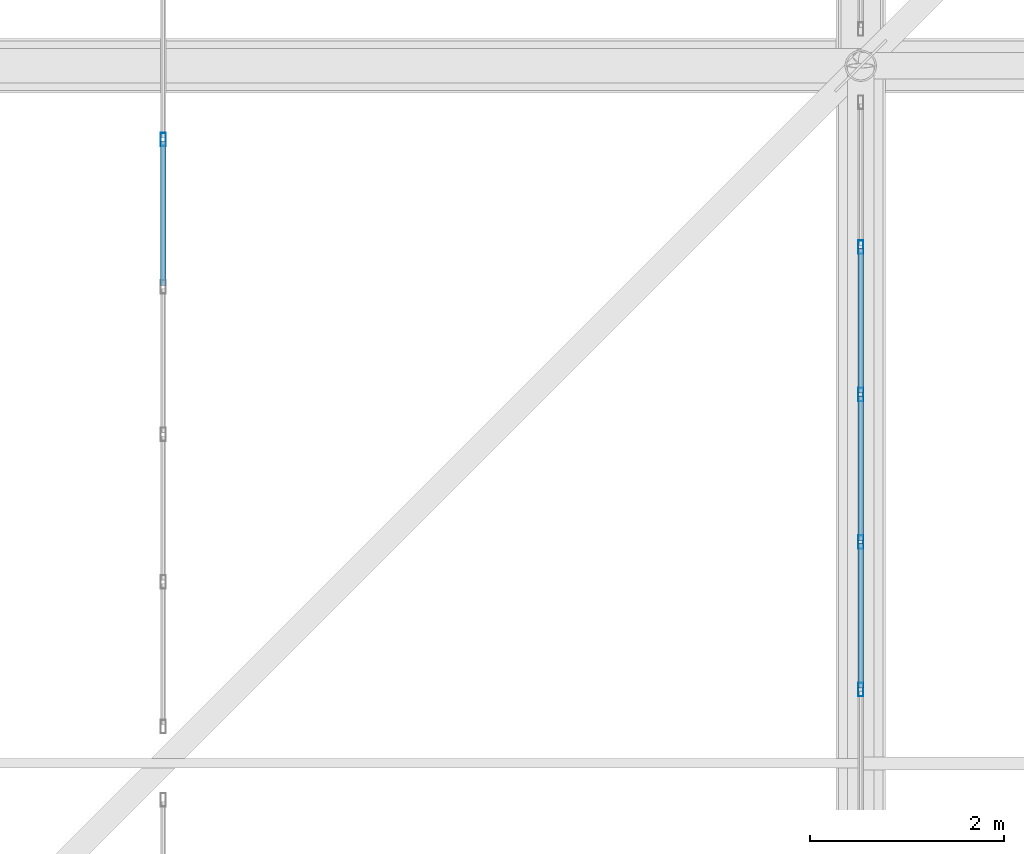
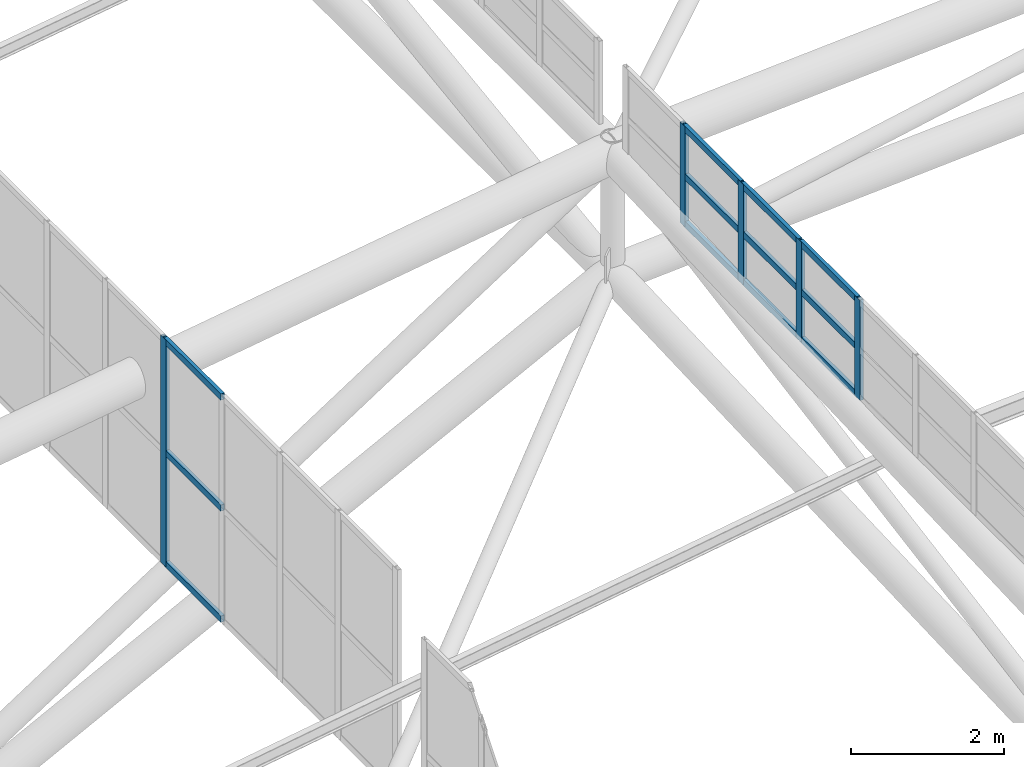
# One storey, part 71 of 397: 17 members, 2 elements without a shape of their own.
"""IFC4 building model written with IfcOpenShell, lengths in metres."""

from ifc_helpers import new_model, si_unit, direction, frame, origin, origin_2d, place, context, subcontext, project, spatial, hollow_rectangle, extrude, material, material_profile, profile_set, type_object, element, aggregate, save


model = new_model("IFC4")

# Units and contexts
model_context = context("Model", 3, precision=1e-05, world=origin(), true_north=direction((0.0, 1.0)))
body_context = subcontext(model_context, "Body", "Model", "MODEL_VIEW")
ifc_project = project(units=[si_unit("LENGTHUNIT", "METRE"), si_unit("AREAUNIT", "SQUARE_METRE"), si_unit("VOLUMEUNIT", "CUBIC_METRE"), si_unit("PLANEANGLEUNIT", "RADIAN"), si_unit("MASSUNIT", "GRAM", prefix="KILO")], contexts=[model_context])

# Site, building, storey
site_placement = place(None, origin())
site = spatial("IfcSite", under=ifc_project, at=site_placement, CompositionType="ELEMENT")
building_placement = place(site_placement, origin())
building = spatial("IfcBuilding", under=site, at=building_placement, Name="Qandorah Velis Arena", CompositionType="ELEMENT")
storey_placement = place(building_placement, frame((0.0, 0.0, 27.5)))
storey = spatial("IfcBuildingStorey", under=building, at=storey_placement, Name="RF", CompositionType="ELEMENT", Elevation=27.5)

# Curtain wall, member
ifc_material_1 = material(Name="Solar-control low-E double glazing", Category="glass")
curtain_wall_type_1 = type_object("IfcCurtainWallType", Name="ARC-CW-SYS09", PredefinedType="USERDEFINED", material=ifc_material_1)
curtain_wall_1_placement = place(storey_placement, origin())
curtain_wall_1 = element("IfcCurtainWall", 1, at=curtain_wall_1_placement, inside=storey, type_object=curtain_wall_type_1, Name="Unitised curtain wall MON-1-3", ObjectType="UNITISED CURTAIN WALL", PredefinedType="USERDEFINED")
ifc_material_2 = material(Name="Champagne-bronze anodized aluminium 6063-T6", Category="aluminium")
ifc_material_profile_1 = material_profile(ifc_material_2, hollow_rectangle(XDim=0.054931640625, YDim=0.139892578125, WallThickness=0.0029296875, at=origin_2d()), Name="ALU MULLION 55x140")
ifc_profile_set_1 = profile_set([ifc_material_profile_1], Name="Champagne-bronze anodized aluminium 6063-T6")
member_type_1 = type_object("IfcMemberType", Name="ARC-CWM-140", PredefinedType="MULLION", material=ifc_profile_set_1)
member_1_placement = place(storey_placement, frame((21.60009765625, 56.8388671875, 5.830322265625), z_axis=(0.0, 0.0, 1.0), x_axis=(-1.0, 0.0, 0.0)))
member_1 = element("IfcMember", 2, at=member_1_placement, type_object=member_type_1, Name="CW09 mullion 5", PredefinedType="MULLION", context=body_context, shape_type="SweptSolid", body=[
    extrude(hollow_rectangle(XDim=0.054931640625, YDim=0.139892578125, WallThickness=0.0029296875, at=origin_2d()), origin(), (0.0, 0.0, 1.0), 3.6298828125),
])

# Curtain wall, members
curtain_wall_type_2 = type_object("IfcCurtainWallType", Name="ARC-CW-SYS07", PredefinedType="USERDEFINED", material=ifc_material_1)
curtain_wall_2_placement = place(storey_placement, origin())
curtain_wall_2 = element("IfcCurtainWall", 3, at=curtain_wall_2_placement, inside=storey, type_object=curtain_wall_type_2, Name="Unitised curtain wall OCULUS-1-2", ObjectType="UNITISED CURTAIN WALL", PredefinedType="USERDEFINED")
member_2_placement = place(storey_placement, frame((28.800048828125, 51.1611328125, 9.41259765625), z_axis=(0.0, 0.0, 1.0), x_axis=(-1.0, 0.0, 0.0)))
member_2 = element("IfcMember", 4, at=member_2_placement, type_object=member_type_1, Name="CW07 mullion 6", PredefinedType="MULLION", context=body_context, shape_type="SweptSolid", body=[
    extrude(hollow_rectangle(XDim=0.054931640625, YDim=0.139892578125, WallThickness=0.0029296875, at=origin_2d()), origin(), (0.0, 0.0, 1.0), 1.602294921875),
])
member_3_placement = place(storey_placement, frame((28.800048828125, 52.683349609375, 9.41259765625), z_axis=(0.0, 0.0, 1.0), x_axis=(-1.0, 0.0, 0.0)))
member_3 = element("IfcMember", 5, at=member_3_placement, type_object=member_type_1, Name="CW07 mullion 7", PredefinedType="MULLION", context=body_context, shape_type="SweptSolid", body=[
    extrude(hollow_rectangle(XDim=0.054931640625, YDim=0.139892578125, WallThickness=0.0029296875, at=origin_2d()), origin(), (0.0, 0.0, 1.0), 1.602294921875),
])
member_4_placement = place(storey_placement, frame((28.800048828125, 54.20556640625, 9.41259765625), z_axis=(0.0, 0.0, 1.0), x_axis=(-1.0, 0.0, 0.0)))
member_4 = element("IfcMember", 6, at=member_4_placement, type_object=member_type_1, Name="CW07 mullion 8", PredefinedType="MULLION", context=body_context, shape_type="SweptSolid", body=[
    extrude(hollow_rectangle(XDim=0.054931640625, YDim=0.139892578125, WallThickness=0.0029296875, at=origin_2d()), origin(), (0.0, 0.0, 1.0), 1.602294921875),
])
member_5_placement = place(storey_placement, frame((28.800048828125, 55.727783203125, 9.41259765625), z_axis=(0.0, 0.0, 1.0), x_axis=(-1.0, 0.0, 0.0)))
member_5 = element("IfcMember", 7, at=member_5_placement, type_object=member_type_1, Name="CW07 mullion 9", PredefinedType="MULLION", context=body_context, shape_type="SweptSolid", body=[
    extrude(hollow_rectangle(XDim=0.054931640625, YDim=0.139892578125, WallThickness=0.0029296875, at=origin_2d()), origin(), (0.0, 0.0, 1.0), 1.602294921875),
])

# Member
ifc_material_profile_2 = material_profile(ifc_material_2, hollow_rectangle(XDim=0.054931640625, YDim=0.10009765625, WallThickness=0.0029296875, at=origin_2d()), Name="ALU TRANSOM 55x100")
ifc_profile_set_2 = profile_set([ifc_material_profile_2], Name="Champagne-bronze anodized aluminium 6063-T6")
member_type_2 = type_object("IfcMemberType", Name="ARC-CWT-100", PredefinedType="USERDEFINED", material=ifc_profile_set_2)
member_6_placement = place(storey_placement, frame((21.60009765625, 55.332275390625, 5.872802734375), z_axis=(0.0, 1.0, 0.0), x_axis=(-1.0, 0.0, 0.0)))
member_6 = element("IfcMember", 8, at=member_6_placement, type_object=member_type_2, Name="CW09 transom 4.1", ObjectType="TRANSOM", PredefinedType="USERDEFINED", context=body_context, shape_type="SweptSolid", body=[
    extrude(hollow_rectangle(XDim=0.054931640625, YDim=0.10009765625, WallThickness=0.0029296875, at=origin_2d()), origin(), (0.0, 0.0, 1.0), 1.4912109375),
])

member_7_placement = place(storey_placement, frame((21.60009765625, 55.332275390625, 7.645263671875), z_axis=(0.0, 1.0, 0.0), x_axis=(-1.0, 0.0, 0.0)))
member_7 = element("IfcMember", 9, at=member_7_placement, type_object=member_type_2, Name="CW09 transom 4.2", ObjectType="TRANSOM", PredefinedType="USERDEFINED", context=body_context, shape_type="SweptSolid", body=[
    extrude(hollow_rectangle(XDim=0.054931640625, YDim=0.10009765625, WallThickness=0.0029296875, at=origin_2d()), origin(), (0.0, 0.0, 1.0), 1.4912109375),
])

member_8_placement = place(storey_placement, frame((21.60009765625, 55.332275390625, 9.417724609375), z_axis=(0.0, 1.0, 0.0), x_axis=(-1.0, 0.0, 0.0)))
member_8 = element("IfcMember", 10, at=member_8_placement, type_object=member_type_2, Name="CW09 transom 4.3", ObjectType="TRANSOM", PredefinedType="USERDEFINED", context=body_context, shape_type="SweptSolid", body=[
    extrude(hollow_rectangle(XDim=0.054931640625, YDim=0.10009765625, WallThickness=0.0029296875, at=origin_2d()), origin(), (0.0, 0.0, 1.0), 1.4912109375),
])

aggregate(curtain_wall_1, [member_1, member_6, member_7, member_8])

member_9_placement = place(storey_placement, frame((28.800048828125, 51.176513671875, 9.455078125), z_axis=(0.0, 1.0, 0.0), x_axis=(-1.0, 0.0, 0.0)))
member_9 = element("IfcMember", 11, at=member_9_placement, type_object=member_type_2, Name="CW07 transom 6.1", ObjectType="TRANSOM", PredefinedType="USERDEFINED", context=body_context, shape_type="SweptSolid", body=[
    extrude(hollow_rectangle(XDim=0.054931640625, YDim=0.10009765625, WallThickness=0.0029296875, at=origin_2d()), origin(), (0.0, 0.0, 1.0), 1.4912109375),
])

member_10_placement = place(storey_placement, frame((28.800048828125, 51.176513671875, 10.2138671875), z_axis=(0.0, 1.0, 0.0), x_axis=(-1.0, 0.0, 0.0)))
member_10 = element("IfcMember", 12, at=member_10_placement, type_object=member_type_2, Name="CW07 transom 6.2", ObjectType="TRANSOM", PredefinedType="USERDEFINED", context=body_context, shape_type="SweptSolid", body=[
    extrude(hollow_rectangle(XDim=0.054931640625, YDim=0.10009765625, WallThickness=0.0029296875, at=origin_2d()), origin(), (0.0, 0.0, 1.0), 1.4912109375),
])

member_11_placement = place(storey_placement, frame((28.800048828125, 51.176513671875, 10.972412109375), z_axis=(0.0, 1.0, 0.0), x_axis=(-1.0, 0.0, 0.0)))
member_11 = element("IfcMember", 13, at=member_11_placement, type_object=member_type_2, Name="CW07 transom 6.3", ObjectType="TRANSOM", PredefinedType="USERDEFINED", context=body_context, shape_type="SweptSolid", body=[
    extrude(hollow_rectangle(XDim=0.054931640625, YDim=0.10009765625, WallThickness=0.0029296875, at=origin_2d()), origin(), (0.0, 0.0, 1.0), 1.4912109375),
])

member_12_placement = place(storey_placement, frame((28.800048828125, 52.69873046875, 9.455078125), z_axis=(0.0, 1.0, 0.0), x_axis=(-1.0, 0.0, 0.0)))
member_12 = element("IfcMember", 14, at=member_12_placement, type_object=member_type_2, Name="CW07 transom 7.1", ObjectType="TRANSOM", PredefinedType="USERDEFINED", context=body_context, shape_type="SweptSolid", body=[
    extrude(hollow_rectangle(XDim=0.054931640625, YDim=0.10009765625, WallThickness=0.0029296875, at=origin_2d()), origin(), (0.0, 0.0, 1.0), 1.491455078125),
])

member_13_placement = place(storey_placement, frame((28.800048828125, 52.69873046875, 10.2138671875), z_axis=(0.0, 1.0, 0.0), x_axis=(-1.0, 0.0, 0.0)))
member_13 = element("IfcMember", 15, at=member_13_placement, type_object=member_type_2, Name="CW07 transom 7.2", ObjectType="TRANSOM", PredefinedType="USERDEFINED", context=body_context, shape_type="SweptSolid", body=[
    extrude(hollow_rectangle(XDim=0.054931640625, YDim=0.10009765625, WallThickness=0.0029296875, at=origin_2d()), origin(), (0.0, 0.0, 1.0), 1.491455078125),
])

member_14_placement = place(storey_placement, frame((28.800048828125, 52.69873046875, 10.972412109375), z_axis=(0.0, 1.0, 0.0), x_axis=(-1.0, 0.0, 0.0)))
member_14 = element("IfcMember", 16, at=member_14_placement, type_object=member_type_2, Name="CW07 transom 7.3", ObjectType="TRANSOM", PredefinedType="USERDEFINED", context=body_context, shape_type="SweptSolid", body=[
    extrude(hollow_rectangle(XDim=0.054931640625, YDim=0.10009765625, WallThickness=0.0029296875, at=origin_2d()), origin(), (0.0, 0.0, 1.0), 1.491455078125),
])

member_15_placement = place(storey_placement, frame((28.800048828125, 54.22119140625, 9.455078125), z_axis=(0.0, 1.0, 0.0), x_axis=(-1.0, 0.0, 0.0)))
member_15 = element("IfcMember", 17, at=member_15_placement, type_object=member_type_2, Name="CW07 transom 8.1", ObjectType="TRANSOM", PredefinedType="USERDEFINED", context=body_context, shape_type="SweptSolid", body=[
    extrude(hollow_rectangle(XDim=0.054931640625, YDim=0.10009765625, WallThickness=0.0029296875, at=origin_2d()), origin(), (0.0, 0.0, 1.0), 1.4912109375),
])

member_16_placement = place(storey_placement, frame((28.800048828125, 54.22119140625, 10.2138671875), z_axis=(0.0, 1.0, 0.0), x_axis=(-1.0, 0.0, 0.0)))
member_16 = element("IfcMember", 18, at=member_16_placement, type_object=member_type_2, Name="CW07 transom 8.2", ObjectType="TRANSOM", PredefinedType="USERDEFINED", context=body_context, shape_type="SweptSolid", body=[
    extrude(hollow_rectangle(XDim=0.054931640625, YDim=0.10009765625, WallThickness=0.0029296875, at=origin_2d()), origin(), (0.0, 0.0, 1.0), 1.4912109375),
])

member_17_placement = place(storey_placement, frame((28.800048828125, 54.22119140625, 10.972412109375), z_axis=(0.0, 1.0, 0.0), x_axis=(-1.0, 0.0, 0.0)))
member_17 = element("IfcMember", 19, at=member_17_placement, type_object=member_type_2, Name="CW07 transom 8.3", ObjectType="TRANSOM", PredefinedType="USERDEFINED", context=body_context, shape_type="SweptSolid", body=[
    extrude(hollow_rectangle(XDim=0.054931640625, YDim=0.10009765625, WallThickness=0.0029296875, at=origin_2d()), origin(), (0.0, 0.0, 1.0), 1.4912109375),
])

aggregate(curtain_wall_2, [member_2, member_3, member_4, member_5, member_9, member_10, member_11, member_12, member_13, member_14, member_15, member_16, member_17])

save(model, "model.ifc")
